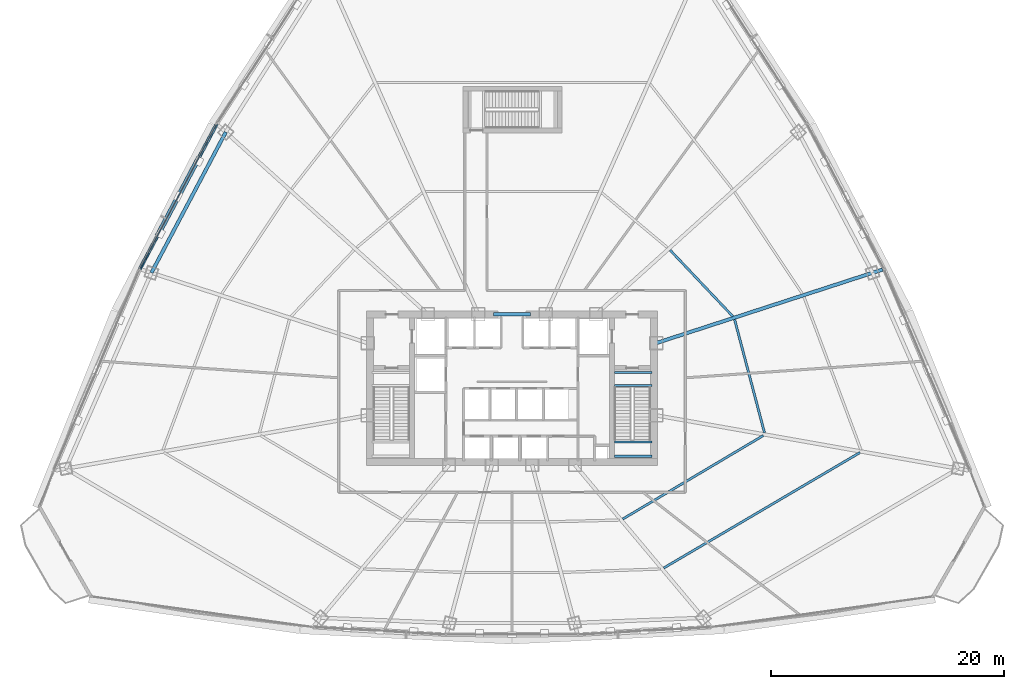
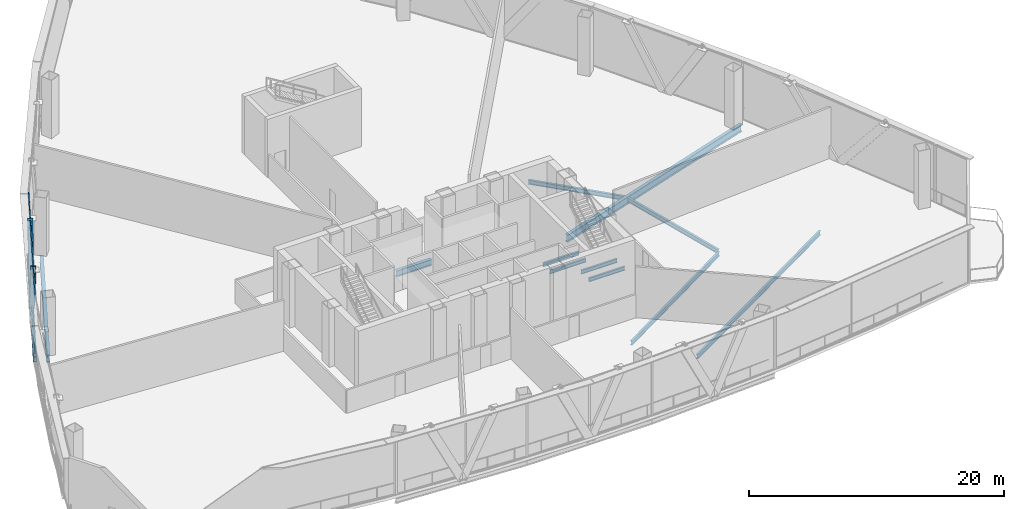
# One storey, part 14 of 36: 12 beams, 4 members, 1 element without a shape of its own.
"""IFC4 building model written with IfcOpenShell, lengths in metres."""

from ifc_helpers import new_model, si_unit, direction, frame, origin, origin_2d, place, context, subcontext, project, spatial, hollow_rectangle, i_section, extrude, source, transform, mapped, material, layer, layer_set, material_profile, profile_set, type_object, element, aggregate, save


model = new_model("IFC4")

# Units and contexts
model_context = context("Model", 3, precision=1e-05, world=origin(), true_north=direction((0.0, 1.0)))
body_context = subcontext(model_context, "Body", "Model", "MODEL_VIEW")
ifc_project = project(units=[si_unit("LENGTHUNIT", "METRE"), si_unit("AREAUNIT", "SQUARE_METRE"), si_unit("VOLUMEUNIT", "CUBIC_METRE"), si_unit("PLANEANGLEUNIT", "RADIAN"), si_unit("MASSUNIT", "GRAM", prefix="KILO"), si_unit("THERMODYNAMICTEMPERATUREUNIT", "KELVIN"), si_unit("POWERUNIT", "WATT")], contexts=[model_context])

# Site, building, storey
site_placement = place(None, origin())
site = spatial("IfcSite", under=ifc_project, at=site_placement, CompositionType="ELEMENT")
building_placement = place(site_placement, origin())
building = spatial("IfcBuilding", under=site, at=building_placement, Name="Yunzhuo Pagoda Commons", CompositionType="ELEMENT")
storey_placement = place(building_placement, frame((0.0, 0.0, 119.179931640625)))
storey = spatial("IfcBuildingStorey", under=building, at=storey_placement, Name="L30", CompositionType="ELEMENT", Elevation=119.179931640625)

# Beams
ifc_material_1 = material(Name="Structural steel Q355B", Category="steel")
ifc_material_profile_1 = material_profile(ifc_material_1, i_section(OverallWidth=0.175048828125, OverallDepth=0.35009765625, WebThickness=0.007080078125, FlangeThickness=0.010986328125, at=origin_2d()), Name="Structural steel Q355B")
ifc_profile_set_1 = profile_set([ifc_material_profile_1], Name="Structural steel Q355B")
beam_type_1 = type_object("IfcBeamType", Name="B-JS2 Joist HN 350x175x7x11", PredefinedType="JOIST", material=ifc_profile_set_1)
shared_shape_1 = source(origin(), body_context, "Body", "SweptSolid", [
    extrude(i_section(OverallWidth=0.175048828125, OverallDepth=0.35009765625, WebThickness=0.007080078125, FlangeThickness=0.010986328125, at=origin_2d()), origin(), (0.0, 0.0, 1.0), 3.25),
])
for number, where, z_axis, x_axis, name in (
    (1, (56.800048828125, 28.0, 2.55029296875), (1.0, 0.0, 0.0), (0.0, 1.0, 0.0), "L30 ST2 landing support beam 36A"),
    (2, (56.800048828125, 29.219970703125, 2.55029296875), (1.0, 0.0, 0.0), (0.0, 1.0, 0.0), "L30 ST2 landing support beam 36B"),
    (3, (56.800048828125, 34.10009765625, -0.375), (1.0, 0.0, 0.0), (0.0, 1.0, 0.0), "L30 ST2 landing support beam 134A"),
    (4, (56.800048828125, 35.199951171875, -0.375), (1.0, 0.0, 0.0), (0.0, 1.0, 0.0), "L30 ST2 landing support beam 134B"),
):
    element("IfcBeam", number, at=place(storey_placement, frame(where, z_axis=z_axis, x_axis=x_axis)), inside=storey, type_object=beam_type_1, Name=name, PredefinedType="JOIST", context=body_context, shape_type="MappedRepresentation", body=[
        mapped(shared_shape_1, transform((0.0, 0.0, 0.0), scale=1.0)),
    ])
ifc_material_2 = material(Name="Structural steel Q420B", Category="steel")
ifc_material_profile_2 = material_profile(ifc_material_2, i_section(OverallWidth=0.300048828125, OverallDepth=0.587890625, WebThickness=0.011962890625, FlangeThickness=0.02001953125, at=origin_2d()), Name="Structural steel Q420B")
ifc_profile_set_2 = profile_set([ifc_material_profile_2], Name="Structural steel Q420B")
beam_type_2 = type_object("IfcBeamType", Name="B-CPL Beam HM 588x300x12x20", PredefinedType="BEAM", material=ifc_profile_set_2)
shared_shape_2 = source(origin(), body_context, "Body", "SweptSolid", [
    extrude(i_section(OverallWidth=0.300048828125, OverallDepth=0.587890625, WebThickness=0.011962890625, FlangeThickness=0.02001953125, at=origin_2d()), origin(), (0.0, 0.0, 1.0), 3.2001953125),
])
beam_1_placement = place(storey_placement, frame((46.39990234375, 40.199951171875, -0.573974609375), z_axis=(1.0, 0.0, 0.0), x_axis=(0.0, 1.0, 0.0)))
element("IfcBeam", 5, at=beam_1_placement, inside=storey, type_object=beam_type_2, Name="L30 core coupling girder", PredefinedType="BEAM", context=body_context, shape_type="MappedRepresentation", body=[
    mapped(shared_shape_2, transform((0.0, 0.0, 0.0), scale=1.0)),
])
ifc_material_profile_3 = material_profile(ifc_material_1, i_section(OverallWidth=0.300048828125, OverallDepth=0.699951171875, WebThickness=0.012939453125, FlangeThickness=0.02392578125, at=origin_2d()), Name="Structural steel Q355B")
ifc_profile_set_3 = profile_set([ifc_material_profile_3], Name="Structural steel Q355B")
beam_type_3 = type_object("IfcBeamType", Name="B-RG1 Beam HN 700x300x13x24", PredefinedType="BEAM", material=ifc_profile_set_3)
shared_shape_3 = source(origin(), body_context, "Body", "SweptSolid", [
    extrude(i_section(OverallWidth=0.300048828125, OverallDepth=0.699951171875, WebThickness=0.012939453125, FlangeThickness=0.02392578125, at=origin_2d()), origin(), (0.0, 0.0, 1.0), 13.66748046875),
])
beam_2_placement = place(storey_placement, frame((23.397216796875, 55.852294921875, -0.6298828125), z_axis=(-0.467383716456, -0.88405455804, 0.0), x_axis=(0.88405455804, -0.467383716456, 0.0)))
element("IfcBeam", 6, at=beam_2_placement, inside=storey, type_object=beam_type_3, Name="L30 column-ring beam 10", PredefinedType="BEAM", context=body_context, shape_type="MappedRepresentation", body=[
    mapped(shared_shape_3, transform((0.0, 0.0, 0.0), scale=1.0)),
])
ifc_material_profile_4 = material_profile(ifc_material_1, i_section(OverallWidth=0.199951171875, OverallDepth=0.39990234375, WebThickness=0.008056640625, FlangeThickness=0.012939453125, at=origin_2d()), Name="Structural steel Q355B")
ifc_profile_set_4 = profile_set([ifc_material_profile_4], Name="Structural steel Q355B")
beam_type_4 = type_object("IfcBeamType", Name="B-JS1 Joist HN 400x200x8x13", PredefinedType="JOIST", material=ifc_profile_set_4)
shared_shape_4 = source(origin(), body_context, "Body", "SweptSolid", [
    extrude(i_section(OverallWidth=0.199951171875, OverallDepth=0.39990234375, WebThickness=0.008056640625, FlangeThickness=0.012939453125, at=origin_2d()), origin(), (0.0, 0.0, 1.0), 14.061767578125),
])
beam_3_placement = place(storey_placement, frame((57.517578125, 22.601806640625, -0.47998046875), z_axis=(0.859683443923, 0.510827149088, 0.0), x_axis=(-0.510827149088, 0.859683443923, 0.0)))
element("IfcBeam", 7, at=beam_3_placement, inside=storey, type_object=beam_type_4, Name="L30 composite ring joist 1.4", PredefinedType="JOIST", context=body_context, shape_type="MappedRepresentation", body=[
    mapped(shared_shape_4, transform((0.0, 0.0, 0.0), scale=1.0)),
])
shared_shape_5 = source(origin(), body_context, "Body", "SweptSolid", [
    extrude(i_section(OverallWidth=0.199951171875, OverallDepth=0.39990234375, WebThickness=0.008056640625, FlangeThickness=0.012939453125, at=origin_2d()), origin(), (0.0, 0.0, 1.0), 19.568603515625),
])
beam_4_placement = place(storey_placement, frame((61.04541015625, 18.39697265625, -0.47998046875), z_axis=(0.861862685393, 0.50714170754, 0.0), x_axis=(-0.50714170754, 0.861862685393, 0.0)))
element("IfcBeam", 8, at=beam_4_placement, inside=storey, type_object=beam_type_4, Name="L30 composite ring joist 2.4", PredefinedType="JOIST", context=body_context, shape_type="MappedRepresentation", body=[
    mapped(shared_shape_5, transform((0.0, 0.0, 0.0), scale=1.0)),
])
shared_shape_6 = source(origin(), body_context, "Body", "SweptSolid", [
    extrude(i_section(OverallWidth=0.199951171875, OverallDepth=0.39990234375, WebThickness=0.008056640625, FlangeThickness=0.012939453125, at=origin_2d()), origin(), (0.0, 0.0, 1.0), 10.0634765625),
])
beam_5_placement = place(storey_placement, frame((69.702392578125, 30.019775390625, -0.47998046875), z_axis=(-0.255289713136, 0.966864603948, 0.0), x_axis=(-0.966864603948, -0.255289713136, 0.0)))
element("IfcBeam", 9, at=beam_5_placement, inside=storey, type_object=beam_type_4, Name="L30 composite ring joist 1.5", PredefinedType="JOIST", context=body_context, shape_type="MappedRepresentation", body=[
    mapped(shared_shape_6, transform((0.0, 0.0, 0.0), scale=1.0)),
])
shared_shape_7 = source(origin(), body_context, "Body", "SweptSolid", [
    extrude(i_section(OverallWidth=0.199951171875, OverallDepth=0.39990234375, WebThickness=0.008056640625, FlangeThickness=0.012939453125, at=origin_2d()), origin(), (0.0, 0.0, 1.0), 7.85009765625),
])
beam_6_placement = place(storey_placement, frame((66.9833984375, 40.01904296875, -0.47998046875), z_axis=(-0.687513423145, 0.726171669095, 0.0), x_axis=(-0.726171669095, -0.687513423145, 0.0)))
element("IfcBeam", 10, at=beam_6_placement, inside=storey, type_object=beam_type_4, Name="L30 composite ring joist 1.6", PredefinedType="JOIST", context=body_context, shape_type="MappedRepresentation", body=[
    mapped(shared_shape_7, transform((0.0, 0.0, 0.0), scale=1.0)),
])
shared_shape_8 = source(origin(), body_context, "Body", "SweptSolid", [
    extrude(i_section(OverallWidth=0.300048828125, OverallDepth=0.699951171875, WebThickness=0.012939453125, FlangeThickness=0.02392578125, at=origin_2d()), origin(), (0.0, 0.0, 1.0), 20.442626953125),
])
beam_7_placement = place(storey_placement, frame((79.842041015625, 44.046142578125, -0.6298828125), z_axis=(-0.951056446131, -0.309017210318, 0.0), x_axis=(0.309017210318, -0.951056446131, 0.0)))
element("IfcBeam", 11, at=beam_7_placement, inside=storey, type_object=beam_type_3, Name="L30 radial floor girder F2C2", PredefinedType="BEAM", context=body_context, shape_type="MappedRepresentation", body=[
    mapped(shared_shape_8, transform((0.0, 0.0, 0.0), scale=1.0)),
])
ifc_material_profile_5 = material_profile(ifc_material_1, i_section(OverallWidth=0.300048828125, OverallDepth=0.488037109375, WebThickness=0.010986328125, FlangeThickness=0.01806640625, at=origin_2d()), Name="Structural steel Q355B")
ifc_profile_set_5 = profile_set([ifc_material_profile_5], Name="Structural steel Q355B")
beam_type_5 = type_object("IfcBeamType", Name="B-SP1 Beam HM 488x300x11x18", PredefinedType="BEAM", material=ifc_profile_set_5)
shared_shape_9 = source(origin(), body_context, "Body", "SweptSolid", [
    extrude(i_section(OverallWidth=0.300048828125, OverallDepth=0.488037109375, WebThickness=0.010986328125, FlangeThickness=0.01806640625, at=origin_2d()), origin(), (0.0, 0.0, 1.0), 14.10400390625),
])
beam_8_placement = place(storey_placement, frame((22.616943359375, 56.554931640625, -0.52392578125), z_axis=(-0.468412556379, -0.883509862439, 0.0), x_axis=(0.883509862439, -0.468412556379, 0.0)))
element("IfcBeam", 12, at=beam_8_placement, inside=storey, type_object=beam_type_5, Name="L30 facade edge spandrel beam F3.2", PredefinedType="BEAM", context=body_context, shape_type="MappedRepresentation", body=[
    mapped(shared_shape_9, transform((0.0, 0.0, 0.0), scale=1.0)),
])

# Members
ifc_material_profile_6 = material_profile(ifc_material_2, hollow_rectangle(XDim=0.419921875, YDim=0.719970703125, WallThickness=0.028076171875, at=origin_2d()), Name="Structural steel Q420B")
ifc_profile_set_6 = profile_set([ifc_material_profile_6], Name="Structural steel Q420B")
member_type_1 = type_object("IfcMemberType", Name="M-DL1 Brace BOX 720x420x28", PredefinedType="BRACE", material=ifc_profile_set_6)
shared_shape_10 = source(origin(), body_context, "Body", "SweptSolid", [
    extrude(hollow_rectangle(XDim=0.419921875, YDim=0.719970703125, WallThickness=0.028076171875, at=origin_2d()), origin(), (0.0, 0.0, 1.0), 6.830322265625),
])
member_1_placement = place(storey_placement, frame((19.313720703125, 50.324462890625, -0.280029296875), z_axis=(-0.241802336697, -0.45604671307, 0.856477101542), x_axis=(0.883494668945, -0.468441212902, 0.0)))
element("IfcMember", 13, at=member_1_placement, inside=storey, type_object=member_type_1, Name="L30 facade diamond brace F3.2R", PredefinedType="BRACE", context=body_context, shape_type="MappedRepresentation", body=[
    mapped(shared_shape_10, transform((0.0, 0.0, 0.0), scale=1.0)),
])
shared_shape_11 = source(origin(), body_context, "Body", "SweptSolid", [
    extrude(hollow_rectangle(XDim=0.419921875, YDim=0.719970703125, WallThickness=0.028076171875, at=origin_2d()), origin(), (0.0, 0.0, 1.0), 6.83056640625),
])
member_2_placement = place(storey_placement, frame((19.313720703125, 50.324462890625, -0.280029296875), z_axis=(0.24179839513, 0.456075021709, 0.856463140296), x_axis=(-0.883509862439, 0.468412556379, 0.0)))
element("IfcMember", 14, at=member_2_placement, inside=storey, type_object=member_type_1, Name="L30 facade diamond brace F3.2L", PredefinedType="BRACE", context=body_context, shape_type="MappedRepresentation", body=[
    mapped(shared_shape_11, transform((0.0, 0.0, 0.0), scale=1.0)),
])

# Curtain wall, members
ifc_material_3 = material(Name="Anodized aluminium 6063-T6", Category="aluminium")
ifc_layer = layer(ifc_material_3, 0.1650390625)
ifc_layer_set = layer_set([ifc_layer], Name="Anodized aluminium 6063-T6")
curtain_wall_type = type_object("IfcCurtainWallType", Name="CW-LOW Low-Zone Ribbon Curtain Wall", PredefinedType="NOTDEFINED", material=ifc_layer_set)
curtain_wall_placement = place(storey_placement, origin())
curtain_wall = element("IfcCurtainWall", 15, at=curtain_wall_placement, inside=storey, type_object=curtain_wall_type, Name="L30 curtain wall CW-L30-F3B3", PredefinedType="NOTDEFINED")
ifc_material_profile_7 = material_profile(ifc_material_3, hollow_rectangle(XDim=0.06005859375, YDim=0.139892578125, WallThickness=0.00341796875, at=origin_2d()), Name="Anodized aluminium 6063-T6")
ifc_profile_set_7 = profile_set([ifc_material_profile_7], Name="Anodized aluminium 6063-T6")
member_type_2 = type_object("IfcMemberType", Name="CW-LOW-T Transom RHS 140x60x3.5", PredefinedType="USERDEFINED", material=ifc_profile_set_7)
shared_shape_12 = source(origin(), body_context, "Body", "SweptSolid", [
    extrude(hollow_rectangle(XDim=0.06005859375, YDim=0.139892578125, WallThickness=0.00341796875, at=origin_2d()), origin(), (0.0, 0.0, 1.0), 13.97412109375),
])
member_3_placement = place(storey_placement, frame((22.586669921875, 56.49755859375, 0.030029296875), z_axis=(-0.468415025268, -0.883508553497, 0.0), x_axis=(0.883508553497, -0.468415025268, 0.0)))
member_3 = element("IfcMember", 16, at=member_3_placement, type_object=member_type_2, Name="CW transom 1.1", ObjectType="TRANSOM", PredefinedType="USERDEFINED", context=body_context, shape_type="MappedRepresentation", body=[
    mapped(shared_shape_12, transform((0.0, 0.0, 0.0), scale=1.0)),
])
member_4_placement = place(storey_placement, frame((22.586669921875, 56.49755859375, 5.5400390625), z_axis=(-0.468415025268, -0.883508553497, 0.0), x_axis=(0.883508553497, -0.468415025268, 0.0)))
member_4 = element("IfcMember", 17, at=member_4_placement, type_object=member_type_2, Name="CW transom 1.2", ObjectType="TRANSOM", PredefinedType="USERDEFINED", context=body_context, shape_type="MappedRepresentation", body=[
    mapped(shared_shape_12, transform((0.0, 0.0, 0.0), scale=1.0)),
])
aggregate(curtain_wall, [member_3, member_4])

save(model, "model.ifc")
